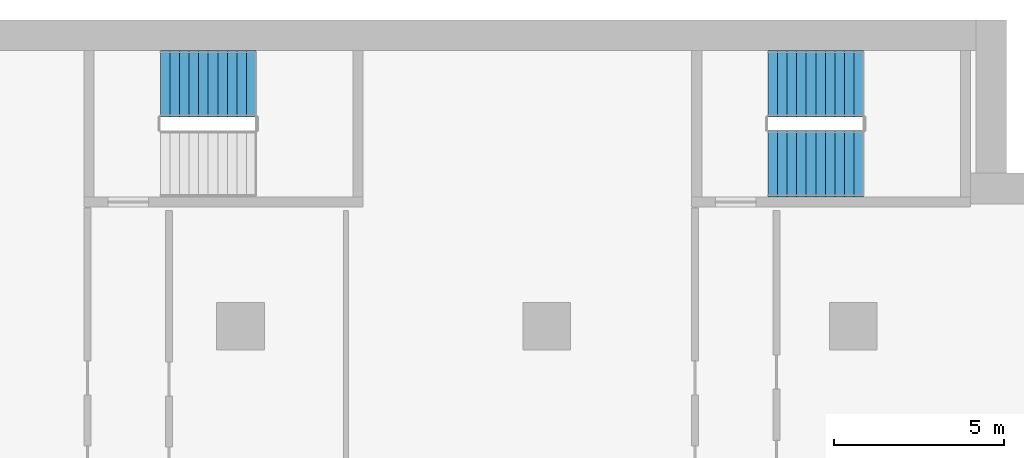
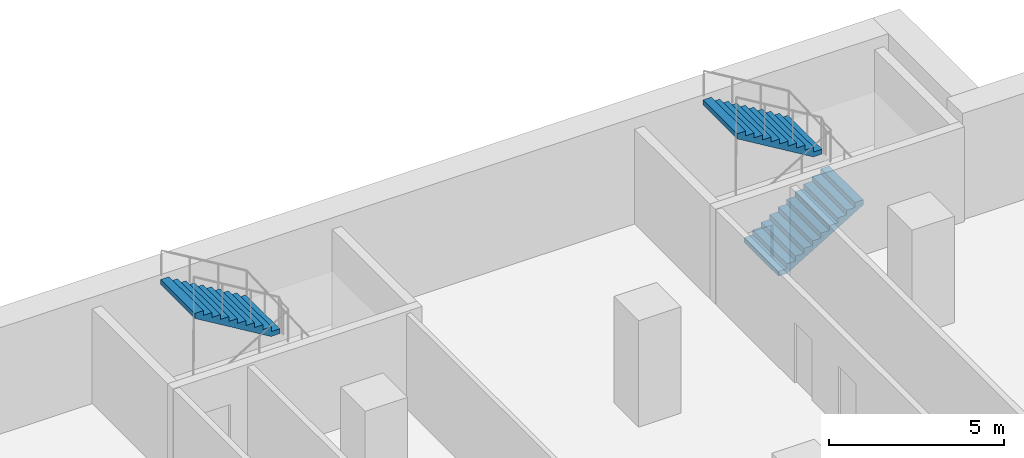
# One storey, part 23 of 29: 3 stair flights, 2 elements without a shape of their own.
"""IFC4 building model written with IfcOpenShell, lengths in metres."""

from ifc_helpers import new_model, si_unit, direction, frame, origin, place, context, subcontext, project, spatial, polyline, outline, extrude, material, type_object, element, aggregate, save


model = new_model("IFC4")

# Units and contexts
model_context = context("Model", 3, precision=1e-05, world=origin(), true_north=direction((0.0, 1.0)))
body_context = subcontext(model_context, "Body", "Model", "MODEL_VIEW")
ifc_project = project(units=[si_unit("LENGTHUNIT", "METRE"), si_unit("AREAUNIT", "SQUARE_METRE"), si_unit("VOLUMEUNIT", "CUBIC_METRE"), si_unit("PLANEANGLEUNIT", "RADIAN"), si_unit("MASSUNIT", "GRAM", prefix="KILO")], contexts=[model_context])

# Site, building, storey
site_placement = place(None, origin())
site = spatial("IfcSite", under=ifc_project, at=site_placement, CompositionType="ELEMENT")
building_placement = place(site_placement, origin())
building = spatial("IfcBuilding", under=site, at=building_placement, Name="Hunhe Ridgeline Campus", CompositionType="ELEMENT")
storey_placement = place(building_placement, frame((0.0, 0.0, 65.39990234375)))
storey = spatial("IfcBuildingStorey", under=building, at=storey_placement, Name="L15", CompositionType="ELEMENT", Elevation=65.39990234375)

# Stair, stair flight
ifc_material = material(Name="Concrete C40", Category="concrete")
stair_type = type_object("IfcStairType", Name="Reinforced concrete dog-leg stair 1950 Concrete C40", PredefinedType="HALF_TURN_STAIR", material=ifc_material)
stair_1_placement = place(storey_placement, origin())
stair_1 = element("IfcStair", 1, at=stair_1_placement, inside=storey, type_object=stair_type, Name="L15 E3", PredefinedType="HALF_TURN_STAIR")
stair_flight_type = type_object("IfcStairFlightType", Name="Reinforced concrete stair flight 1950 Concrete C40", PredefinedType="STRAIGHT", material=ifc_material)
stair_flight_1_placement = place(storey_placement, frame((72.449951171875, 97.125, 1.85009765625), z_axis=(0.0, 0.0, 1.0), x_axis=(-1.0, 0.0, 0.0)))
stair_flight_1 = element("IfcStairFlight", 2, at=stair_flight_1_placement, type_object=stair_flight_type, Name="ST7 flight 2", NumberOfRisers=11, NumberOfTreads=10, PredefinedType="STRAIGHT", RiserHeight=0.168181818, TreadLength=0.28, context=body_context, shape_type="SweptSolid", body=[
    extrude(outline(polyline([(0.0, 0.0), (0.0, 0.168212890625), (0.280029296875, 0.168212890625), (0.280029296875, 0.33642578125), (0.56005859375, 0.33642578125), (0.56005859375, 0.504638671875), (0.840087890625, 0.504638671875), (0.840087890625, 0.672607421875), (1.1201171875, 0.672607421875), (1.1201171875, 0.8408203125), (1.39990234375, 0.8408203125), (1.39990234375, 1.009033203125), (1.679931640625, 1.009033203125), (1.679931640625, 1.17724609375), (1.9599609375, 1.17724609375), (1.9599609375, 1.345458984375), (2.239990234375, 1.345458984375), (2.239990234375, 1.513671875), (2.52001953125, 1.513671875), (2.52001953125, 1.681884765625), (2.800048828125, 1.681884765625), (2.800048828125, 1.85009765625), (2.800048828125, 1.5068359375), (0.291015625, 0.0), (0.0, 0.0)])), frame((0.0, 0.97509765625, 0.0), z_axis=(0.0, -1.0, 0.0), x_axis=(1.0, 0.0, 0.0)), (0.0, 0.0, 1.0), 1.949951171875),
    extrude(outline(polyline([(0.030029296875, 0.030029296875), (0.030029296875, 0.13818359375), (0.31005859375, 0.13818359375), (0.31005859375, 0.306396484375), (0.590087890625, 0.306396484375), (0.590087890625, 0.474609375), (0.8701171875, 0.474609375), (0.8701171875, 0.642578125), (1.14990234375, 0.642578125), (1.14990234375, 0.810791015625), (1.429931640625, 0.810791015625), (1.429931640625, 0.97900390625), (1.7099609375, 0.97900390625), (1.7099609375, 1.147216796875), (1.989990234375, 1.147216796875), (1.989990234375, 1.3154296875), (2.27001953125, 1.3154296875), (2.27001953125, 1.483642578125), (2.550048828125, 1.483642578125), (2.550048828125, 1.65185546875), (2.77001953125, 1.65185546875), (2.77001953125, 1.52392578125), (0.28271484375, 0.030029296875), (0.030029296875, 0.030029296875)])), frame((0.0, -0.070068359375, 0.0), z_axis=(0.0, -1.0, 0.0), x_axis=(1.0, 0.0, 0.0)), (0.0, 0.0, 1.0), 0.019775390625),
    extrude(outline(polyline([(0.030029296875, 0.030029296875), (0.030029296875, 0.13818359375), (0.31005859375, 0.13818359375), (0.31005859375, 0.306396484375), (0.590087890625, 0.306396484375), (0.590087890625, 0.474609375), (0.8701171875, 0.474609375), (0.8701171875, 0.642578125), (1.14990234375, 0.642578125), (1.14990234375, 0.810791015625), (1.429931640625, 0.810791015625), (1.429931640625, 0.97900390625), (1.7099609375, 0.97900390625), (1.7099609375, 1.147216796875), (1.989990234375, 1.147216796875), (1.989990234375, 1.3154296875), (2.27001953125, 1.3154296875), (2.27001953125, 1.483642578125), (2.550048828125, 1.483642578125), (2.550048828125, 1.65185546875), (2.77001953125, 1.65185546875), (2.77001953125, 1.52392578125), (0.28271484375, 0.030029296875), (0.030029296875, 0.030029296875)])), frame((0.0, 0.010009765625, 0.0), z_axis=(0.0, -1.0, 0.0), x_axis=(1.0, 0.0, 0.0)), (0.0, 0.0, 1.0), 0.019775390625),
    extrude(outline(polyline([(0.030029296875, 0.030029296875), (0.030029296875, 0.13818359375), (0.31005859375, 0.13818359375), (0.31005859375, 0.306396484375), (0.590087890625, 0.306396484375), (0.590087890625, 0.474609375), (0.8701171875, 0.474609375), (0.8701171875, 0.642578125), (1.14990234375, 0.642578125), (1.14990234375, 0.810791015625), (1.429931640625, 0.810791015625), (1.429931640625, 0.97900390625), (1.7099609375, 0.97900390625), (1.7099609375, 1.147216796875), (1.989990234375, 1.147216796875), (1.989990234375, 1.3154296875), (2.27001953125, 1.3154296875), (2.27001953125, 1.483642578125), (2.550048828125, 1.483642578125), (2.550048828125, 1.65185546875), (2.77001953125, 1.65185546875), (2.77001953125, 1.52392578125), (0.28271484375, 0.030029296875), (0.030029296875, 0.030029296875)])), frame((0.0, 0.090087890625, 0.0), z_axis=(0.0, -1.0, 0.0), x_axis=(1.0, 0.0, 0.0)), (0.0, 0.0, 1.0), 0.019775390625),
])
aggregate(stair_1, [stair_flight_1])

# Stair, stair flights
stair_2_placement = place(storey_placement, origin())
stair_2 = element("IfcStair", 3, at=stair_2_placement, inside=storey, type_object=stair_type, Name="L15 E4", PredefinedType="HALF_TURN_STAIR")
stair_flight_2_placement = place(storey_placement, frame((87.5, 94.77490234375, 0.0), z_axis=(0.0, 0.0, 1.0), x_axis=(1.0, 0.0, 0.0)))
stair_flight_2 = element("IfcStairFlight", 4, at=stair_flight_2_placement, type_object=stair_flight_type, Name="ST8 flight 1", NumberOfRisers=11, NumberOfTreads=10, PredefinedType="STRAIGHT", RiserHeight=0.168181818, TreadLength=0.28, context=body_context, shape_type="SweptSolid", body=[
    extrude(outline(polyline([(0.0, 0.0), (0.0, 0.168212890625), (0.280029296875, 0.168212890625), (0.280029296875, 0.33642578125), (0.56005859375, 0.33642578125), (0.56005859375, 0.504638671875), (0.840087890625, 0.504638671875), (0.840087890625, 0.672607421875), (1.1201171875, 0.672607421875), (1.1201171875, 0.8408203125), (1.39990234375, 0.8408203125), (1.39990234375, 1.009033203125), (1.679931640625, 1.009033203125), (1.679931640625, 1.17724609375), (1.9599609375, 1.17724609375), (1.9599609375, 1.345458984375), (2.239990234375, 1.345458984375), (2.239990234375, 1.513671875), (2.52001953125, 1.513671875), (2.52001953125, 1.681884765625), (2.800048828125, 1.681884765625), (2.800048828125, 1.85009765625), (2.800048828125, 1.5068359375), (0.291015625, 0.0), (0.0, 0.0)])), frame((0.0, 0.97509765625, 0.0), z_axis=(0.0, -1.0, 0.0), x_axis=(1.0, 0.0, 0.0)), (0.0, 0.0, 1.0), 1.949951171875),
    extrude(outline(polyline([(0.030029296875, 0.030029296875), (0.030029296875, 0.13818359375), (0.31005859375, 0.13818359375), (0.31005859375, 0.306396484375), (0.590087890625, 0.306396484375), (0.590087890625, 0.474609375), (0.8701171875, 0.474609375), (0.8701171875, 0.642578125), (1.14990234375, 0.642578125), (1.14990234375, 0.810791015625), (1.429931640625, 0.810791015625), (1.429931640625, 0.97900390625), (1.7099609375, 0.97900390625), (1.7099609375, 1.147216796875), (1.989990234375, 1.147216796875), (1.989990234375, 1.3154296875), (2.27001953125, 1.3154296875), (2.27001953125, 1.483642578125), (2.550048828125, 1.483642578125), (2.550048828125, 1.65185546875), (2.77001953125, 1.65185546875), (2.77001953125, 1.52392578125), (0.28271484375, 0.030029296875), (0.030029296875, 0.030029296875)])), frame((0.0, -0.070068359375, 0.0), z_axis=(0.0, -1.0, 0.0), x_axis=(1.0, 0.0, 0.0)), (0.0, 0.0, 1.0), 0.019775390625),
    extrude(outline(polyline([(0.030029296875, 0.030029296875), (0.030029296875, 0.13818359375), (0.31005859375, 0.13818359375), (0.31005859375, 0.306396484375), (0.590087890625, 0.306396484375), (0.590087890625, 0.474609375), (0.8701171875, 0.474609375), (0.8701171875, 0.642578125), (1.14990234375, 0.642578125), (1.14990234375, 0.810791015625), (1.429931640625, 0.810791015625), (1.429931640625, 0.97900390625), (1.7099609375, 0.97900390625), (1.7099609375, 1.147216796875), (1.989990234375, 1.147216796875), (1.989990234375, 1.3154296875), (2.27001953125, 1.3154296875), (2.27001953125, 1.483642578125), (2.550048828125, 1.483642578125), (2.550048828125, 1.65185546875), (2.77001953125, 1.65185546875), (2.77001953125, 1.52392578125), (0.28271484375, 0.030029296875), (0.030029296875, 0.030029296875)])), frame((0.0, 0.010009765625, 0.0), z_axis=(0.0, -1.0, 0.0), x_axis=(1.0, 0.0, 0.0)), (0.0, 0.0, 1.0), 0.019775390625),
    extrude(outline(polyline([(0.030029296875, 0.030029296875), (0.030029296875, 0.13818359375), (0.31005859375, 0.13818359375), (0.31005859375, 0.306396484375), (0.590087890625, 0.306396484375), (0.590087890625, 0.474609375), (0.8701171875, 0.474609375), (0.8701171875, 0.642578125), (1.14990234375, 0.642578125), (1.14990234375, 0.810791015625), (1.429931640625, 0.810791015625), (1.429931640625, 0.97900390625), (1.7099609375, 0.97900390625), (1.7099609375, 1.147216796875), (1.989990234375, 1.147216796875), (1.989990234375, 1.3154296875), (2.27001953125, 1.3154296875), (2.27001953125, 1.483642578125), (2.550048828125, 1.483642578125), (2.550048828125, 1.65185546875), (2.77001953125, 1.65185546875), (2.77001953125, 1.52392578125), (0.28271484375, 0.030029296875), (0.030029296875, 0.030029296875)])), frame((0.0, 0.090087890625, 0.0), z_axis=(0.0, -1.0, 0.0), x_axis=(1.0, 0.0, 0.0)), (0.0, 0.0, 1.0), 0.019775390625),
])
stair_flight_3_placement = place(storey_placement, frame((90.300048828125, 97.125, 1.85009765625), z_axis=(0.0, 0.0, 1.0), x_axis=(-1.0, 0.0, 0.0)))
stair_flight_3 = element("IfcStairFlight", 5, at=stair_flight_3_placement, type_object=stair_flight_type, Name="ST8 flight 2", NumberOfRisers=11, NumberOfTreads=10, PredefinedType="STRAIGHT", RiserHeight=0.168181818, TreadLength=0.28, context=body_context, shape_type="SweptSolid", body=[
    extrude(outline(polyline([(0.0, 0.0), (0.0, 0.168212890625), (0.280029296875, 0.168212890625), (0.280029296875, 0.33642578125), (0.56005859375, 0.33642578125), (0.56005859375, 0.504638671875), (0.840087890625, 0.504638671875), (0.840087890625, 0.672607421875), (1.1201171875, 0.672607421875), (1.1201171875, 0.8408203125), (1.39990234375, 0.8408203125), (1.39990234375, 1.009033203125), (1.679931640625, 1.009033203125), (1.679931640625, 1.17724609375), (1.9599609375, 1.17724609375), (1.9599609375, 1.345458984375), (2.239990234375, 1.345458984375), (2.239990234375, 1.513671875), (2.52001953125, 1.513671875), (2.52001953125, 1.681884765625), (2.800048828125, 1.681884765625), (2.800048828125, 1.85009765625), (2.800048828125, 1.5068359375), (0.291015625, 0.0), (0.0, 0.0)])), frame((0.0, 0.97509765625, 0.0), z_axis=(0.0, -1.0, 0.0), x_axis=(1.0, 0.0, 0.0)), (0.0, 0.0, 1.0), 1.949951171875),
    extrude(outline(polyline([(0.030029296875, 0.030029296875), (0.030029296875, 0.13818359375), (0.31005859375, 0.13818359375), (0.31005859375, 0.306396484375), (0.590087890625, 0.306396484375), (0.590087890625, 0.474609375), (0.8701171875, 0.474609375), (0.8701171875, 0.642578125), (1.14990234375, 0.642578125), (1.14990234375, 0.810791015625), (1.429931640625, 0.810791015625), (1.429931640625, 0.97900390625), (1.7099609375, 0.97900390625), (1.7099609375, 1.147216796875), (1.989990234375, 1.147216796875), (1.989990234375, 1.3154296875), (2.27001953125, 1.3154296875), (2.27001953125, 1.483642578125), (2.550048828125, 1.483642578125), (2.550048828125, 1.65185546875), (2.77001953125, 1.65185546875), (2.77001953125, 1.52392578125), (0.28271484375, 0.030029296875), (0.030029296875, 0.030029296875)])), frame((0.0, -0.070068359375, 0.0), z_axis=(0.0, -1.0, 0.0), x_axis=(1.0, 0.0, 0.0)), (0.0, 0.0, 1.0), 0.019775390625),
    extrude(outline(polyline([(0.030029296875, 0.030029296875), (0.030029296875, 0.13818359375), (0.31005859375, 0.13818359375), (0.31005859375, 0.306396484375), (0.590087890625, 0.306396484375), (0.590087890625, 0.474609375), (0.8701171875, 0.474609375), (0.8701171875, 0.642578125), (1.14990234375, 0.642578125), (1.14990234375, 0.810791015625), (1.429931640625, 0.810791015625), (1.429931640625, 0.97900390625), (1.7099609375, 0.97900390625), (1.7099609375, 1.147216796875), (1.989990234375, 1.147216796875), (1.989990234375, 1.3154296875), (2.27001953125, 1.3154296875), (2.27001953125, 1.483642578125), (2.550048828125, 1.483642578125), (2.550048828125, 1.65185546875), (2.77001953125, 1.65185546875), (2.77001953125, 1.52392578125), (0.28271484375, 0.030029296875), (0.030029296875, 0.030029296875)])), frame((0.0, 0.010009765625, 0.0), z_axis=(0.0, -1.0, 0.0), x_axis=(1.0, 0.0, 0.0)), (0.0, 0.0, 1.0), 0.019775390625),
    extrude(outline(polyline([(0.030029296875, 0.030029296875), (0.030029296875, 0.13818359375), (0.31005859375, 0.13818359375), (0.31005859375, 0.306396484375), (0.590087890625, 0.306396484375), (0.590087890625, 0.474609375), (0.8701171875, 0.474609375), (0.8701171875, 0.642578125), (1.14990234375, 0.642578125), (1.14990234375, 0.810791015625), (1.429931640625, 0.810791015625), (1.429931640625, 0.97900390625), (1.7099609375, 0.97900390625), (1.7099609375, 1.147216796875), (1.989990234375, 1.147216796875), (1.989990234375, 1.3154296875), (2.27001953125, 1.3154296875), (2.27001953125, 1.483642578125), (2.550048828125, 1.483642578125), (2.550048828125, 1.65185546875), (2.77001953125, 1.65185546875), (2.77001953125, 1.52392578125), (0.28271484375, 0.030029296875), (0.030029296875, 0.030029296875)])), frame((0.0, 0.090087890625, 0.0), z_axis=(0.0, -1.0, 0.0), x_axis=(1.0, 0.0, 0.0)), (0.0, 0.0, 1.0), 0.019775390625),
])
aggregate(stair_2, [stair_flight_2, stair_flight_3])

save(model, "model.ifc")
